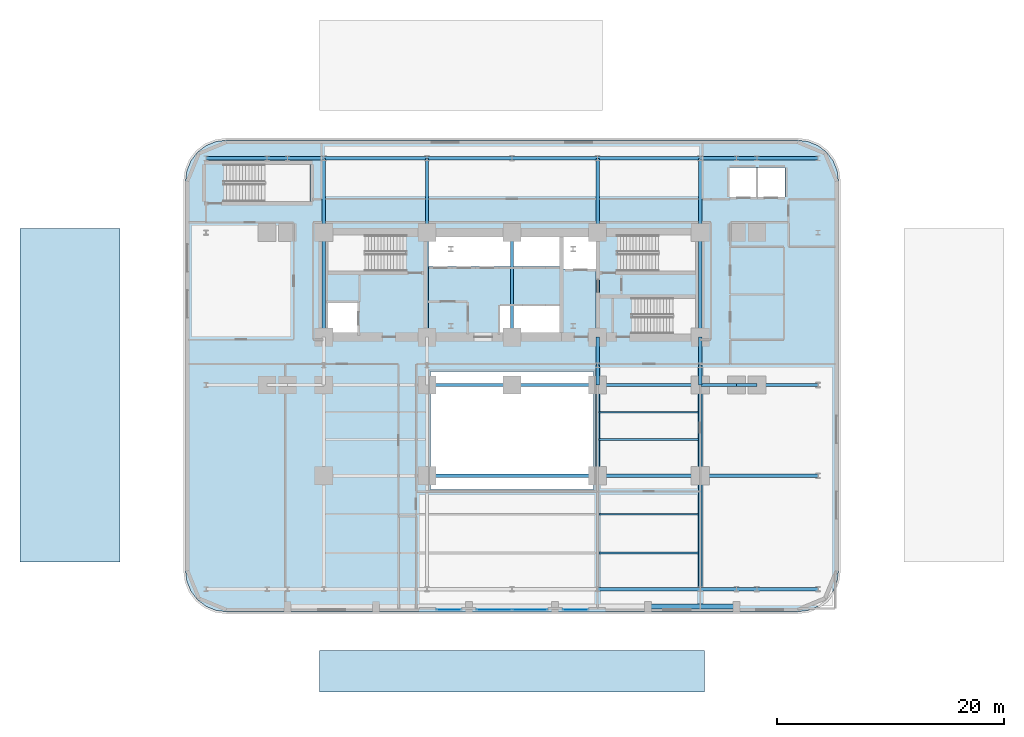
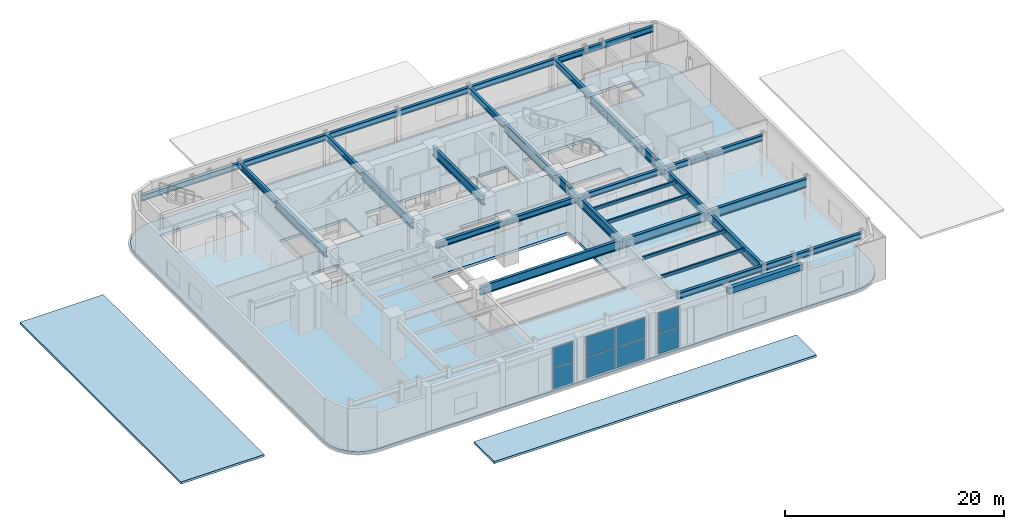
# One storey, part 3 of 12: 44 beams, 8 plates, 3 slabs, 3 elements without a shape of their own.
"""IFC4 building model written with IfcOpenShell, lengths in metres."""

from ifc_helpers import new_model, si_unit, direction, frame, origin, origin_2d, place, context, subcontext, project, spatial, polyline, rectangle, i_section, outline, extrude, material, layer, layer_set, material_profile, profile_set, type_object, element, aggregate, save


model = new_model("IFC4")

# Units and contexts
model_context = context("Model", 3, precision=1e-05, world=origin(), true_north=direction((0.0, 1.0)))
body_context = subcontext(model_context, "Body", "Model", "MODEL_VIEW")
ifc_project = project(units=[si_unit("LENGTHUNIT", "METRE"), si_unit("AREAUNIT", "SQUARE_METRE"), si_unit("VOLUMEUNIT", "CUBIC_METRE"), si_unit("PLANEANGLEUNIT", "RADIAN"), si_unit("MASSUNIT", "GRAM", prefix="KILO")], contexts=[model_context])

# Site, building, storey
site_placement = place(None, origin())
site = spatial("IfcSite", under=ifc_project, at=site_placement, CompositionType="ELEMENT")
building_placement = place(site_placement, origin())
building = spatial("IfcBuilding", under=site, at=building_placement, Name="Zarnavel Station Tower", CompositionType="ELEMENT")
storey_placement = place(building_placement, frame((0.0, 0.0, 5.39990234375)))
storey = spatial("IfcBuildingStorey", under=building, at=storey_placement, Name="L02", CompositionType="ELEMENT", Elevation=5.39990234375)

# Beams
ifc_material_1 = material(Name="Steel S355J2", Category="steel")
ifc_material_profile_1 = material_profile(ifc_material_1, i_section(OverallWidth=0.300048828125, OverallDepth=0.64990234375, WebThickness=0.01611328125, FlangeThickness=0.031005859375, FilletRadius=0.027099609375, at=origin_2d()), Name="HEB650")
ifc_profile_set_1 = profile_set([ifc_material_profile_1], Name="Steel S355J2")
beam_type_1 = type_object("IfcBeamType", Name="FG_HEB650", PredefinedType="USERDEFINED", material=ifc_profile_set_1)
for number, where, z_axis, x_axis, name in (
    (1, (12.199951171875, 37.050048828125, 4.375), (0.0, 1.0, 0.0), (-1.0, 0.0, 0.0), "L02 NS Girder North 1"),
    (2, (21.300048828125, 37.050048828125, 4.375), (0.0, 1.0, 0.0), (-1.0, 0.0, 0.0), "L02 NS Girder North 2"),
    (3, (36.35009765625, 37.050048828125, 4.375), (0.0, 1.0, 0.0), (-1.0, 0.0, 0.0), "L02 NS Girder North 3"),
    (4, (45.39990234375, 37.050048828125, 4.375), (0.0, 1.0, 0.0), (-1.0, 0.0, 0.0), "L02 NS Girder North 4"),
):
    element("IfcBeam", number, at=place(storey_placement, frame(where, z_axis=z_axis, x_axis=x_axis)), inside=storey, type_object=beam_type_1, Name=name, ObjectType="GIRDER", PredefinedType="USERDEFINED", context=body_context, shape_type="SweptSolid", body=[
        extrude(i_section(OverallWidth=0.300048828125, OverallDepth=0.64990234375, WebThickness=0.01611328125, FlangeThickness=0.031005859375, FilletRadius=0.027099609375, at=origin_2d()), origin(), (0.0, 0.0, 1.0), 6.550048828125),
    ])
beam_1_placement = place(storey_placement, frame((36.35009765625, 5.60009765625, 4.375), z_axis=(1.0, 0.0, 0.0), x_axis=(0.0, 1.0, 0.0)))
element("IfcBeam", 5, at=beam_1_placement, inside=storey, type_object=beam_type_1, Name="L02 EW Frame Girder 1-7", ObjectType="GIRDER", PredefinedType="USERDEFINED", context=body_context, shape_type="SweptSolid", body=[
    extrude(i_section(OverallWidth=0.300048828125, OverallDepth=0.64990234375, WebThickness=0.01611328125, FlangeThickness=0.031005859375, FilletRadius=0.027099609375, at=origin_2d()), origin(), (0.0, 0.0, 1.0), 9.0498046875),
])
beam_2_placement = place(storey_placement, frame((45.39990234375, 5.60009765625, 4.375), z_axis=(1.0, 0.0, 0.0), x_axis=(0.0, 1.0, 0.0)))
element("IfcBeam", 6, at=beam_2_placement, inside=storey, type_object=beam_type_1, Name="L02 EW Frame Girder 1-8", ObjectType="GIRDER", PredefinedType="USERDEFINED", context=body_context, shape_type="SweptSolid", body=[
    extrude(i_section(OverallWidth=0.300048828125, OverallDepth=0.64990234375, WebThickness=0.01611328125, FlangeThickness=0.031005859375, FilletRadius=0.027099609375, at=origin_2d()), origin(), (0.0, 0.0, 1.0), 3.2001953125),
])
beam_3_placement = place(storey_placement, frame((48.60009765625, 5.60009765625, 4.375), z_axis=(1.0, 0.0, 0.0), x_axis=(0.0, 1.0, 0.0)))
element("IfcBeam", 7, at=beam_3_placement, inside=storey, type_object=beam_type_1, Name="L02 EW Frame Girder 1-9", ObjectType="GIRDER", PredefinedType="USERDEFINED", context=body_context, shape_type="SweptSolid", body=[
    extrude(i_section(OverallWidth=0.300048828125, OverallDepth=0.64990234375, WebThickness=0.01611328125, FlangeThickness=0.031005859375, FilletRadius=0.027099609375, at=origin_2d()), origin(), (0.0, 0.0, 1.0), 1.7998046875),
])
beam_4_placement = place(storey_placement, frame((50.39990234375, 5.60009765625, 4.375), z_axis=(1.0, 0.0, 0.0), x_axis=(0.0, 1.0, 0.0)))
element("IfcBeam", 8, at=beam_4_placement, inside=storey, type_object=beam_type_1, Name="L02 EW Frame Girder 1-10", ObjectType="GIRDER", PredefinedType="USERDEFINED", context=body_context, shape_type="SweptSolid", body=[
    extrude(i_section(OverallWidth=0.300048828125, OverallDepth=0.64990234375, WebThickness=0.01611328125, FlangeThickness=0.031005859375, FilletRadius=0.027099609375, at=origin_2d()), origin(), (0.0, 0.0, 1.0), 5.400146484375),
])
beam_5_placement = place(storey_placement, frame((21.300048828125, 23.60009765625, 4.375), z_axis=(1.0, 0.0, 0.0), x_axis=(0.0, 1.0, 0.0)))
element("IfcBeam", 9, at=beam_5_placement, inside=storey, type_object=beam_type_1, Name="L02 EW Frame Girder 2-5", ObjectType="GIRDER", PredefinedType="USERDEFINED", context=body_context, shape_type="SweptSolid", body=[
    extrude(i_section(OverallWidth=0.300048828125, OverallDepth=0.64990234375, WebThickness=0.01611328125, FlangeThickness=0.031005859375, FilletRadius=0.027099609375, at=origin_2d()), origin(), (0.0, 0.0, 1.0), 7.5),
])
beam_6_placement = place(storey_placement, frame((28.800048828125, 23.60009765625, 4.375), z_axis=(1.0, 0.0, 0.0), x_axis=(0.0, 1.0, 0.0)))
element("IfcBeam", 10, at=beam_6_placement, inside=storey, type_object=beam_type_1, Name="L02 EW Frame Girder 2-6", ObjectType="GIRDER", PredefinedType="USERDEFINED", context=body_context, shape_type="SweptSolid", body=[
    extrude(i_section(OverallWidth=0.300048828125, OverallDepth=0.64990234375, WebThickness=0.01611328125, FlangeThickness=0.031005859375, FilletRadius=0.027099609375, at=origin_2d()), origin(), (0.0, 0.0, 1.0), 7.550048828125),
])
beam_7_placement = place(storey_placement, frame((36.35009765625, 23.60009765625, 4.375), z_axis=(1.0, 0.0, 0.0), x_axis=(0.0, 1.0, 0.0)))
element("IfcBeam", 11, at=beam_7_placement, inside=storey, type_object=beam_type_1, Name="L02 EW Frame Girder 2-7", ObjectType="GIRDER", PredefinedType="USERDEFINED", context=body_context, shape_type="SweptSolid", body=[
    extrude(i_section(OverallWidth=0.300048828125, OverallDepth=0.64990234375, WebThickness=0.01611328125, FlangeThickness=0.031005859375, FilletRadius=0.027099609375, at=origin_2d()), origin(), (0.0, 0.0, 1.0), 9.0498046875),
])
beam_8_placement = place(storey_placement, frame((45.39990234375, 23.60009765625, 4.375), z_axis=(1.0, 0.0, 0.0), x_axis=(0.0, 1.0, 0.0)))
element("IfcBeam", 12, at=beam_8_placement, inside=storey, type_object=beam_type_1, Name="L02 EW Frame Girder 2-8", ObjectType="GIRDER", PredefinedType="USERDEFINED", context=body_context, shape_type="SweptSolid", body=[
    extrude(i_section(OverallWidth=0.300048828125, OverallDepth=0.64990234375, WebThickness=0.01611328125, FlangeThickness=0.031005859375, FilletRadius=0.027099609375, at=origin_2d()), origin(), (0.0, 0.0, 1.0), 3.2001953125),
])
beam_9_placement = place(storey_placement, frame((48.60009765625, 23.60009765625, 4.375), z_axis=(1.0, 0.0, 0.0), x_axis=(0.0, 1.0, 0.0)))
element("IfcBeam", 13, at=beam_9_placement, inside=storey, type_object=beam_type_1, Name="L02 EW Frame Girder 2-9", ObjectType="GIRDER", PredefinedType="USERDEFINED", context=body_context, shape_type="SweptSolid", body=[
    extrude(i_section(OverallWidth=0.300048828125, OverallDepth=0.64990234375, WebThickness=0.01611328125, FlangeThickness=0.031005859375, FilletRadius=0.027099609375, at=origin_2d()), origin(), (0.0, 0.0, 1.0), 1.7998046875),
])
beam_10_placement = place(storey_placement, frame((50.39990234375, 23.60009765625, 4.375), z_axis=(1.0, 0.0, 0.0), x_axis=(0.0, 1.0, 0.0)))
element("IfcBeam", 14, at=beam_10_placement, inside=storey, type_object=beam_type_1, Name="L02 EW Frame Girder 2-10", ObjectType="GIRDER", PredefinedType="USERDEFINED", context=body_context, shape_type="SweptSolid", body=[
    extrude(i_section(OverallWidth=0.300048828125, OverallDepth=0.64990234375, WebThickness=0.01611328125, FlangeThickness=0.031005859375, FilletRadius=0.027099609375, at=origin_2d()), origin(), (0.0, 0.0, 1.0), 5.400146484375),
])
beam_11_placement = place(storey_placement, frame((1.800048828125, 43.60009765625, 4.375), z_axis=(1.0, 0.0, 0.0), x_axis=(0.0, 1.0, 0.0)))
element("IfcBeam", 15, at=beam_11_placement, inside=storey, type_object=beam_type_1, Name="L02 EW Frame Girder 3-1", ObjectType="GIRDER", PredefinedType="USERDEFINED", context=body_context, shape_type="SweptSolid", body=[
    extrude(i_section(OverallWidth=0.300048828125, OverallDepth=0.64990234375, WebThickness=0.01611328125, FlangeThickness=0.031005859375, FilletRadius=0.027099609375, at=origin_2d()), origin(), (0.0, 0.0, 1.0), 5.39990234375),
])
beam_12_placement = place(storey_placement, frame((7.199951171875, 43.60009765625, 4.375), z_axis=(1.0, 0.0, 0.0), x_axis=(0.0, 1.0, 0.0)))
element("IfcBeam", 16, at=beam_12_placement, inside=storey, type_object=beam_type_1, Name="L02 EW Frame Girder 3-2", ObjectType="GIRDER", PredefinedType="USERDEFINED", context=body_context, shape_type="SweptSolid", body=[
    extrude(i_section(OverallWidth=0.300048828125, OverallDepth=0.64990234375, WebThickness=0.01611328125, FlangeThickness=0.031005859375, FilletRadius=0.027099609375, at=origin_2d()), origin(), (0.0, 0.0, 1.0), 1.800048828125),
])
beam_13_placement = place(storey_placement, frame((9.0, 43.60009765625, 4.375), z_axis=(1.0, 0.0, 0.0), x_axis=(0.0, 1.0, 0.0)))
element("IfcBeam", 17, at=beam_13_placement, inside=storey, type_object=beam_type_1, Name="L02 EW Frame Girder 3-3", ObjectType="GIRDER", PredefinedType="USERDEFINED", context=body_context, shape_type="SweptSolid", body=[
    extrude(i_section(OverallWidth=0.300048828125, OverallDepth=0.64990234375, WebThickness=0.01611328125, FlangeThickness=0.031005859375, FilletRadius=0.027099609375, at=origin_2d()), origin(), (0.0, 0.0, 1.0), 3.199951171875),
])
beam_14_placement = place(storey_placement, frame((12.199951171875, 43.60009765625, 4.375), z_axis=(1.0, 0.0, 0.0), x_axis=(0.0, 1.0, 0.0)))
element("IfcBeam", 18, at=beam_14_placement, inside=storey, type_object=beam_type_1, Name="L02 EW Frame Girder 3-4", ObjectType="GIRDER", PredefinedType="USERDEFINED", context=body_context, shape_type="SweptSolid", body=[
    extrude(i_section(OverallWidth=0.300048828125, OverallDepth=0.64990234375, WebThickness=0.01611328125, FlangeThickness=0.031005859375, FilletRadius=0.027099609375, at=origin_2d()), origin(), (0.0, 0.0, 1.0), 9.10009765625),
])
beam_15_placement = place(storey_placement, frame((21.300048828125, 43.60009765625, 4.375), z_axis=(1.0, 0.0, 0.0), x_axis=(0.0, 1.0, 0.0)))
element("IfcBeam", 19, at=beam_15_placement, inside=storey, type_object=beam_type_1, Name="L02 EW Frame Girder 3-5", ObjectType="GIRDER", PredefinedType="USERDEFINED", context=body_context, shape_type="SweptSolid", body=[
    extrude(i_section(OverallWidth=0.300048828125, OverallDepth=0.64990234375, WebThickness=0.01611328125, FlangeThickness=0.031005859375, FilletRadius=0.027099609375, at=origin_2d()), origin(), (0.0, 0.0, 1.0), 7.5),
])
beam_16_placement = place(storey_placement, frame((28.800048828125, 43.60009765625, 4.375), z_axis=(1.0, 0.0, 0.0), x_axis=(0.0, 1.0, 0.0)))
element("IfcBeam", 20, at=beam_16_placement, inside=storey, type_object=beam_type_1, Name="L02 EW Frame Girder 3-6", ObjectType="GIRDER", PredefinedType="USERDEFINED", context=body_context, shape_type="SweptSolid", body=[
    extrude(i_section(OverallWidth=0.300048828125, OverallDepth=0.64990234375, WebThickness=0.01611328125, FlangeThickness=0.031005859375, FilletRadius=0.027099609375, at=origin_2d()), origin(), (0.0, 0.0, 1.0), 7.550048828125),
])
beam_17_placement = place(storey_placement, frame((36.35009765625, 43.60009765625, 4.375), z_axis=(1.0, 0.0, 0.0), x_axis=(0.0, 1.0, 0.0)))
element("IfcBeam", 21, at=beam_17_placement, inside=storey, type_object=beam_type_1, Name="L02 EW Frame Girder 3-7", ObjectType="GIRDER", PredefinedType="USERDEFINED", context=body_context, shape_type="SweptSolid", body=[
    extrude(i_section(OverallWidth=0.300048828125, OverallDepth=0.64990234375, WebThickness=0.01611328125, FlangeThickness=0.031005859375, FilletRadius=0.027099609375, at=origin_2d()), origin(), (0.0, 0.0, 1.0), 9.0498046875),
])
beam_18_placement = place(storey_placement, frame((45.39990234375, 43.60009765625, 4.375), z_axis=(1.0, 0.0, 0.0), x_axis=(0.0, 1.0, 0.0)))
element("IfcBeam", 22, at=beam_18_placement, inside=storey, type_object=beam_type_1, Name="L02 EW Frame Girder 3-8", ObjectType="GIRDER", PredefinedType="USERDEFINED", context=body_context, shape_type="SweptSolid", body=[
    extrude(i_section(OverallWidth=0.300048828125, OverallDepth=0.64990234375, WebThickness=0.01611328125, FlangeThickness=0.031005859375, FilletRadius=0.027099609375, at=origin_2d()), origin(), (0.0, 0.0, 1.0), 3.2001953125),
])
beam_19_placement = place(storey_placement, frame((48.60009765625, 43.60009765625, 4.375), z_axis=(1.0, 0.0, 0.0), x_axis=(0.0, 1.0, 0.0)))
element("IfcBeam", 23, at=beam_19_placement, inside=storey, type_object=beam_type_1, Name="L02 EW Frame Girder 3-9", ObjectType="GIRDER", PredefinedType="USERDEFINED", context=body_context, shape_type="SweptSolid", body=[
    extrude(i_section(OverallWidth=0.300048828125, OverallDepth=0.64990234375, WebThickness=0.01611328125, FlangeThickness=0.031005859375, FilletRadius=0.027099609375, at=origin_2d()), origin(), (0.0, 0.0, 1.0), 1.7998046875),
])
beam_20_placement = place(storey_placement, frame((50.39990234375, 43.60009765625, 4.375), z_axis=(1.0, 0.0, 0.0), x_axis=(0.0, 1.0, 0.0)))
element("IfcBeam", 24, at=beam_20_placement, inside=storey, type_object=beam_type_1, Name="L02 EW Frame Girder 3-10", ObjectType="GIRDER", PredefinedType="USERDEFINED", context=body_context, shape_type="SweptSolid", body=[
    extrude(i_section(OverallWidth=0.300048828125, OverallDepth=0.64990234375, WebThickness=0.01611328125, FlangeThickness=0.031005859375, FilletRadius=0.027099609375, at=origin_2d()), origin(), (0.0, 0.0, 1.0), 5.400146484375),
])
ifc_material_2 = material(Name="Steel S355J2", Category="steel")
ifc_material_profile_2 = material_profile(ifc_material_2, i_section(OverallWidth=0.169921875, OverallDepth=0.360107421875, WebThickness=0.008056640625, FlangeThickness=0.0126953125, FilletRadius=0.01806640625, at=origin_2d()), Name="IPE360")
ifc_profile_set_2 = profile_set([ifc_material_profile_2], Name="Steel S355J2")
beam_type_2 = type_object("IfcBeamType", Name="FJ_IPE360", PredefinedType="JOIST", material=ifc_profile_set_2)
for number, where, z_axis, x_axis, name in (
    (25, (36.4951171875, 8.800048828125, 4.52001953125), (1.0, 0.0, 0.0), (0.0, 1.0, 0.0), "L02 Floor Joist E1"),
    (26, (36.4951171875, 12.199951171875, 4.52001953125), (1.0, 0.0, 0.0), (0.0, 1.0, 0.0), "L02 Floor Joist E2"),
    (27, (36.4951171875, 18.800048828125, 4.52001953125), (1.0, 0.0, 0.0), (0.0, 1.0, 0.0), "L02 East Joist 3"),
    (28, (36.4951171875, 21.199951171875, 4.52001953125), (1.0, 0.0, 0.0), (0.0, 1.0, 0.0), "L02 East Joist 4"),
):
    element("IfcBeam", number, at=place(storey_placement, frame(where, z_axis=z_axis, x_axis=x_axis)), inside=storey, type_object=beam_type_2, Name=name, PredefinedType="JOIST", context=body_context, shape_type="SweptSolid", body=[
        extrude(i_section(OverallWidth=0.169921875, OverallDepth=0.360107421875, WebThickness=0.008056640625, FlangeThickness=0.0126953125, FilletRadius=0.01806640625, at=origin_2d()), origin(), (0.0, 0.0, 1.0), 8.759765625),
    ])
ifc_material_3 = material(Name="Precast concrete C45/55", Category="concrete")
ifc_material_profile_3 = material_profile(ifc_material_3, rectangle(XDim=0.449951171875, YDim=0.64990234375, at=origin_2d()), Name="RC450x650")
ifc_profile_set_3 = profile_set([ifc_material_profile_3], Name="Precast concrete C45/55")
beam_type_3 = type_object("IfcBeamType", Name="LN_RC450x650", PredefinedType="LINTEL", material=ifc_profile_set_3)
beam_21_placement = place(storey_placement, frame((40.800048828125, 4.050048828125, 4.375), z_axis=(1.0, 0.0, 0.0), x_axis=(0.0, 1.0, 0.0)))
element("IfcBeam", 29, at=beam_21_placement, inside=storey, type_object=beam_type_3, Name="L02 Portal Arcade Lintel 5", PredefinedType="LINTEL", context=body_context, shape_type="SweptSolid", body=[
    extrude(rectangle(XDim=0.449951171875, YDim=0.64990234375, at=origin_2d()), origin(), (0.0, 0.0, 1.0), 7.800048828125),
])
ifc_material_4 = material(Name="Steel S460M", Category="steel")
ifc_material_profile_4 = material_profile(ifc_material_4, i_section(OverallWidth=0.302001953125, OverallDepth=1.008056640625, WebThickness=0.02099609375, FlangeThickness=0.0400390625, FilletRadius=0.030029296875, at=origin_2d()), Name="HEM1000")
ifc_profile_set_4 = profile_set([ifc_material_profile_4], Name="Steel S460M")
beam_type_4 = type_object("IfcBeamType", Name="TG_HEM1000", PredefinedType="USERDEFINED", material=ifc_profile_set_4)
for number, where, z_axis, x_axis, name in (
    (30, (12.199951171875, 27.820068359375, 4.196044921875), (0.0, 1.0, 0.0), (-1.0, 0.0, 0.0), "L02 Core Spine Coupling Girder 1"),
    (31, (21.300048828125, 27.820068359375, 4.196044921875), (0.0, 1.0, 0.0), (-1.0, 0.0, 0.0), "L02 Core Spine Coupling Girder 2"),
    (32, (28.800048828125, 27.820068359375, 4.196044921875), (0.0, 1.0, 0.0), (-1.0, 0.0, 0.0), "L02 Core Spine Coupling Girder 3"),
    (33, (36.35009765625, 27.820068359375, 4.196044921875), (0.0, 1.0, 0.0), (-1.0, 0.0, 0.0), "L02 Core Spine Coupling Girder 4"),
    (34, (45.39990234375, 27.820068359375, 4.196044921875), (0.0, 1.0, 0.0), (-1.0, 0.0, 0.0), "L02 Core Spine Coupling Girder 5"),
):
    element("IfcBeam", number, at=place(storey_placement, frame(where, z_axis=z_axis, x_axis=x_axis)), inside=storey, type_object=beam_type_4, Name=name, ObjectType="GIRDER", PredefinedType="USERDEFINED", context=body_context, shape_type="SweptSolid", body=[
        extrude(i_section(OverallWidth=0.302001953125, OverallDepth=1.008056640625, WebThickness=0.02099609375, FlangeThickness=0.0400390625, FilletRadius=0.030029296875, at=origin_2d()), origin(), (0.0, 0.0, 1.0), 9.22998046875),
    ])
beam_22_placement = place(storey_placement, frame((36.35009765625, 15.60009765625, 4.196044921875), z_axis=(0.0, 1.0, 0.0), x_axis=(-1.0, 0.0, 0.0)))
element("IfcBeam", 35, at=beam_22_placement, inside=storey, type_object=beam_type_4, Name="L02 NS Girder Mid 3", ObjectType="GIRDER", PredefinedType="USERDEFINED", context=body_context, shape_type="SweptSolid", body=[
    extrude(i_section(OverallWidth=0.302001953125, OverallDepth=1.008056640625, WebThickness=0.02099609375, FlangeThickness=0.0400390625, FilletRadius=0.030029296875, at=origin_2d()), origin(), (0.0, 0.0, 1.0), 8.0),
])
beam_23_placement = place(storey_placement, frame((36.35009765625, 23.60009765625, 4.196044921875), z_axis=(0.0, 1.0, 0.0), x_axis=(-1.0, 0.0, 0.0)))
element("IfcBeam", 36, at=beam_23_placement, inside=storey, type_object=beam_type_4, Name="L02 NS Girder Spine 3", ObjectType="GIRDER", PredefinedType="USERDEFINED", context=body_context, shape_type="SweptSolid", body=[
    extrude(i_section(OverallWidth=0.302001953125, OverallDepth=1.008056640625, WebThickness=0.02099609375, FlangeThickness=0.0400390625, FilletRadius=0.030029296875, at=origin_2d()), origin(), (0.0, 0.0, 1.0), 1.75),
])
beam_24_placement = place(storey_placement, frame((36.35009765625, 25.35009765625, 4.196044921875), z_axis=(0.0, 1.0, 0.0), x_axis=(-1.0, 0.0, 0.0)))
element("IfcBeam", 37, at=beam_24_placement, inside=storey, type_object=beam_type_4, Name="L02 NS Girder Core 3", ObjectType="GIRDER", PredefinedType="USERDEFINED", context=body_context, shape_type="SweptSolid", body=[
    extrude(i_section(OverallWidth=0.302001953125, OverallDepth=1.008056640625, WebThickness=0.02099609375, FlangeThickness=0.0400390625, FilletRadius=0.030029296875, at=origin_2d()), origin(), (0.0, 0.0, 1.0), 2.469970703125),
])
beam_25_placement = place(storey_placement, frame((45.39990234375, 5.60009765625, 4.196044921875), z_axis=(0.0, 1.0, 0.0), x_axis=(-1.0, 0.0, 0.0)))
element("IfcBeam", 38, at=beam_25_placement, inside=storey, type_object=beam_type_4, Name="L02 NS Girder South 4", ObjectType="GIRDER", PredefinedType="USERDEFINED", context=body_context, shape_type="SweptSolid", body=[
    extrude(i_section(OverallWidth=0.302001953125, OverallDepth=1.008056640625, WebThickness=0.02099609375, FlangeThickness=0.0400390625, FilletRadius=0.030029296875, at=origin_2d()), origin(), (0.0, 0.0, 1.0), 10.0),
])
beam_26_placement = place(storey_placement, frame((45.39990234375, 15.60009765625, 4.196044921875), z_axis=(0.0, 1.0, 0.0), x_axis=(-1.0, 0.0, 0.0)))
element("IfcBeam", 39, at=beam_26_placement, inside=storey, type_object=beam_type_4, Name="L02 NS Girder Mid 4", ObjectType="GIRDER", PredefinedType="USERDEFINED", context=body_context, shape_type="SweptSolid", body=[
    extrude(i_section(OverallWidth=0.302001953125, OverallDepth=1.008056640625, WebThickness=0.02099609375, FlangeThickness=0.0400390625, FilletRadius=0.030029296875, at=origin_2d()), origin(), (0.0, 0.0, 1.0), 8.0),
])
beam_27_placement = place(storey_placement, frame((45.39990234375, 23.60009765625, 4.196044921875), z_axis=(0.0, 1.0, 0.0), x_axis=(-1.0, 0.0, 0.0)))
element("IfcBeam", 40, at=beam_27_placement, inside=storey, type_object=beam_type_4, Name="L02 NS Girder Spine 4", ObjectType="GIRDER", PredefinedType="USERDEFINED", context=body_context, shape_type="SweptSolid", body=[
    extrude(i_section(OverallWidth=0.302001953125, OverallDepth=1.008056640625, WebThickness=0.02099609375, FlangeThickness=0.0400390625, FilletRadius=0.030029296875, at=origin_2d()), origin(), (0.0, 0.0, 1.0), 1.75),
])
beam_28_placement = place(storey_placement, frame((45.39990234375, 25.35009765625, 4.196044921875), z_axis=(0.0, 1.0, 0.0), x_axis=(-1.0, 0.0, 0.0)))
element("IfcBeam", 41, at=beam_28_placement, inside=storey, type_object=beam_type_4, Name="L02 NS Girder Core 4", ObjectType="GIRDER", PredefinedType="USERDEFINED", context=body_context, shape_type="SweptSolid", body=[
    extrude(i_section(OverallWidth=0.302001953125, OverallDepth=1.008056640625, WebThickness=0.02099609375, FlangeThickness=0.0400390625, FilletRadius=0.030029296875, at=origin_2d()), origin(), (0.0, 0.0, 1.0), 2.469970703125),
])
beam_29_placement = place(storey_placement, frame((21.300048828125, 15.60009765625, 4.196044921875), z_axis=(1.0, 0.0, 0.0), x_axis=(0.0, 1.0, 0.0)))
element("IfcBeam", 42, at=beam_29_placement, inside=storey, type_object=beam_type_4, Name="L02 Concourse Long-Span Girder", ObjectType="GIRDER", PredefinedType="USERDEFINED", context=body_context, shape_type="SweptSolid", body=[
    extrude(i_section(OverallWidth=0.302001953125, OverallDepth=1.008056640625, WebThickness=0.02099609375, FlangeThickness=0.0400390625, FilletRadius=0.030029296875, at=origin_2d()), origin(), (0.0, 0.0, 1.0), 15.050048828125),
])
beam_30_placement = place(storey_placement, frame((36.35009765625, 15.60009765625, 4.196044921875), z_axis=(1.0, 0.0, 0.0), x_axis=(0.0, 1.0, 0.0)))
element("IfcBeam", 43, at=beam_30_placement, inside=storey, type_object=beam_type_4, Name="L02 East Hall Inner Girder", ObjectType="GIRDER", PredefinedType="USERDEFINED", context=body_context, shape_type="SweptSolid", body=[
    extrude(i_section(OverallWidth=0.302001953125, OverallDepth=1.008056640625, WebThickness=0.02099609375, FlangeThickness=0.0400390625, FilletRadius=0.030029296875, at=origin_2d()), origin(), (0.0, 0.0, 1.0), 9.0498046875),
])
beam_31_placement = place(storey_placement, frame((45.39990234375, 15.60009765625, 4.196044921875), z_axis=(1.0, 0.0, 0.0), x_axis=(0.0, 1.0, 0.0)))
element("IfcBeam", 44, at=beam_31_placement, inside=storey, type_object=beam_type_4, Name="L02 East Hall Outer Girder", ObjectType="GIRDER", PredefinedType="USERDEFINED", context=body_context, shape_type="SweptSolid", body=[
    extrude(i_section(OverallWidth=0.302001953125, OverallDepth=1.008056640625, WebThickness=0.02099609375, FlangeThickness=0.0400390625, FilletRadius=0.030029296875, at=origin_2d()), origin(), (0.0, 0.0, 1.0), 10.400146484375),
])

# Curtain wall, plates
ifc_material_5 = material(Name="Aluminium Dark Anodised and Solar-Control Glass", Category="aluminium")
ifc_layer_1 = layer(ifc_material_5, 0.179931640625)
ifc_layer_set_1 = layer_set([ifc_layer_1], Name="CWS1")
curtain_wall_type = type_object("IfcCurtainWallType", Name="CWS1", PredefinedType="NOTDEFINED", material=ifc_layer_set_1)
curtain_wall_1_placement = place(storey_placement, origin())
curtain_wall_1 = element("IfcCurtainWall", 45, at=curtain_wall_1_placement, inside=storey, type_object=curtain_wall_type, Name="L02 Curtain Wall CWS1-L02-S-S1", PredefinedType="NOTDEFINED")
ifc_material_6 = material(Name="Double Low-E Dark Solar-Control Glass", Category="glass")
ifc_layer_2 = layer(ifc_material_6, 0.035888671875)
ifc_layer_set_2 = layer_set([ifc_layer_2], Name="CWS1_PNL")
plate_type = type_object("IfcPlateType", Name="CWS1_PNL", PredefinedType="CURTAIN_PANEL", material=ifc_layer_set_2)
plate_1_placement = place(storey_placement, frame((23.22802734375, 3.780029296875, 0.06005859375), z_axis=(0.0, 0.0, 1.0), x_axis=(1.0, 0.0, 0.0)))
plate_1 = element("IfcPlate", 46, at=plate_1_placement, type_object=plate_type, Name="CW1 panel 1.1", PredefinedType="CURTAIN_PANEL", context=body_context, shape_type="SweptSolid", body=[
    extrude(rectangle(XDim=2.135986328125, YDim=0.028076171875, at=origin_2d()), origin(), (0.0, 0.0, 1.0), 2.260009765625),
])
plate_2_placement = place(storey_placement, frame((23.22802734375, 3.780029296875, 2.3798828125), z_axis=(0.0, 0.0, 1.0), x_axis=(1.0, 0.0, 0.0)))
plate_2 = element("IfcPlate", 47, at=plate_2_placement, type_object=plate_type, Name="CW1 panel 1.2", PredefinedType="CURTAIN_PANEL", context=body_context, shape_type="SweptSolid", body=[
    extrude(rectangle(XDim=2.135986328125, YDim=0.028076171875, at=origin_2d()), origin(), (0.0, 0.0, 1.0), 2.260009765625),
])
aggregate(curtain_wall_1, [plate_1, plate_2])

curtain_wall_2_placement = place(storey_placement, origin())
curtain_wall_2 = element("IfcCurtainWall", 48, at=curtain_wall_2_placement, inside=storey, type_object=curtain_wall_type, Name="L02 Curtain Wall CWS1-L02-S-S2", PredefinedType="NOTDEFINED")
plate_3_placement = place(storey_placement, frame((27.237060546875, 3.780029296875, 0.06005859375), z_axis=(0.0, 0.0, 1.0), x_axis=(1.0, 0.0, 0.0)))
plate_3 = element("IfcPlate", 49, at=plate_3_placement, type_object=plate_type, Name="CW1 panel 1.1", PredefinedType="CURTAIN_PANEL", context=body_context, shape_type="SweptSolid", body=[
    extrude(rectangle(XDim=3.06591796875, YDim=0.028076171875, at=origin_2d()), origin(), (0.0, 0.0, 1.0), 2.260009765625),
])
plate_4_placement = place(storey_placement, frame((27.237060546875, 3.780029296875, 2.3798828125), z_axis=(0.0, 0.0, 1.0), x_axis=(1.0, 0.0, 0.0)))
plate_4 = element("IfcPlate", 50, at=plate_4_placement, type_object=plate_type, Name="CW1 panel 1.2", PredefinedType="CURTAIN_PANEL", context=body_context, shape_type="SweptSolid", body=[
    extrude(rectangle(XDim=3.06591796875, YDim=0.028076171875, at=origin_2d()), origin(), (0.0, 0.0, 1.0), 2.260009765625),
])
plate_5_placement = place(storey_placement, frame((30.363037109375, 3.780029296875, 0.06005859375), z_axis=(0.0, 0.0, 1.0), x_axis=(1.0, 0.0, 0.0)))
plate_5 = element("IfcPlate", 51, at=plate_5_placement, type_object=plate_type, Name="CW1 panel 2.1", PredefinedType="CURTAIN_PANEL", context=body_context, shape_type="SweptSolid", body=[
    extrude(rectangle(XDim=3.06591796875, YDim=0.028076171875, at=origin_2d()), origin(), (0.0, 0.0, 1.0), 2.260009765625),
])
plate_6_placement = place(storey_placement, frame((30.363037109375, 3.780029296875, 2.3798828125), z_axis=(0.0, 0.0, 1.0), x_axis=(1.0, 0.0, 0.0)))
plate_6 = element("IfcPlate", 52, at=plate_6_placement, type_object=plate_type, Name="CW1 panel 2.2", PredefinedType="CURTAIN_PANEL", context=body_context, shape_type="SweptSolid", body=[
    extrude(rectangle(XDim=3.06591796875, YDim=0.028076171875, at=origin_2d()), origin(), (0.0, 0.0, 1.0), 2.260009765625),
])
aggregate(curtain_wall_2, [plate_3, plate_4, plate_5, plate_6])

curtain_wall_3_placement = place(storey_placement, origin())
curtain_wall_3 = element("IfcCurtainWall", 53, at=curtain_wall_3_placement, inside=storey, type_object=curtain_wall_type, Name="L02 Curtain Wall CWS1-L02-S-S3", PredefinedType="NOTDEFINED")
plate_7_placement = place(storey_placement, frame((34.39697265625, 3.780029296875, 0.06005859375), z_axis=(0.0, 0.0, 1.0), x_axis=(1.0, 0.0, 0.0)))
plate_7 = element("IfcPlate", 54, at=plate_7_placement, type_object=plate_type, Name="CW1 panel 1.1", PredefinedType="CURTAIN_PANEL", context=body_context, shape_type="SweptSolid", body=[
    extrude(rectangle(XDim=2.18603515625, YDim=0.028076171875, at=origin_2d()), origin(), (0.0, 0.0, 1.0), 2.260009765625),
])
plate_8_placement = place(storey_placement, frame((34.39697265625, 3.780029296875, 2.3798828125), z_axis=(0.0, 0.0, 1.0), x_axis=(1.0, 0.0, 0.0)))
plate_8 = element("IfcPlate", 55, at=plate_8_placement, type_object=plate_type, Name="CW1 panel 1.2", PredefinedType="CURTAIN_PANEL", context=body_context, shape_type="SweptSolid", body=[
    extrude(rectangle(XDim=2.18603515625, YDim=0.028076171875, at=origin_2d()), origin(), (0.0, 0.0, 1.0), 2.260009765625),
])
aggregate(curtain_wall_3, [plate_7, plate_8])

# Slabs
ifc_material_7 = material(Name="Concrete C45/55", Category="concrete")
ifc_layer_3 = layer(ifc_material_7, 0.300048828125)
ifc_layer_set_3 = layer_set([ifc_layer_3], Name="SL_FLR_300")
slab_type_1 = type_object("IfcSlabType", Name="SL_FLR_300", PredefinedType="FLOOR", material=ifc_layer_set_3)
slab_1_placement = place(storey_placement, frame((0.0, 0.0, -0.2998046875)))
element("IfcSlab", 56, at=slab_1_placement, inside=storey, type_object=slab_type_1, Name="L02 Structural Floor Slab", PredefinedType="FLOOR", context=body_context, shape_type="SweptSolid", body=[
    extrude(outline(polyline([(54.0, 3.60009765625), (54.931640625, 3.72265625), (55.800048828125, 4.082275390625), (56.545654296875, 4.654296875), (57.11767578125, 5.39990234375), (57.477294921875, 6.268310546875), (57.60009765625, 7.199951171875), (57.60009765625, 41.60009765625), (57.477294921875, 42.53173828125), (57.11767578125, 43.39990234375), (56.545654296875, 44.1455078125), (55.800048828125, 44.7177734375), (54.931640625, 45.077392578125), (54.0, 45.199951171875), (3.60009765625, 45.199951171875), (2.668212890625, 45.077392578125), (1.800048828125, 44.7177734375), (1.054443359375, 44.1455078125), (0.482421875, 43.39990234375), (0.122802734375, 42.53173828125), (0.0, 41.60009765625), (0.0, 7.199951171875), (0.122802734375, 6.268310546875), (0.482421875, 5.39990234375), (1.054443359375, 4.654296875), (1.800048828125, 4.082275390625), (2.668212890625, 3.72265625), (3.60009765625, 3.60009765625), (54.0, 3.60009765625)]), holes=[polyline([(12.39990234375, 33.659912109375), (19.409912109375, 33.659912109375), (19.409912109375, 36.820068359375), (12.39990234375, 36.820068359375), (12.39990234375, 33.659912109375)]), polyline([(38.14990234375, 33.659912109375), (45.159912109375, 33.659912109375), (45.159912109375, 36.820068359375), (38.14990234375, 36.820068359375), (38.14990234375, 33.659912109375)]), polyline([(39.419921875, 28.1201171875), (45.14990234375, 28.1201171875), (45.14990234375, 31.280029296875), (39.419921875, 31.280029296875), (39.419921875, 28.1201171875)]), polyline([(3.419921875, 39.800048828125), (11.0, 39.800048828125), (11.0, 43.06005859375), (3.419921875, 43.06005859375), (3.419921875, 39.800048828125)]), polyline([(12.35009765625, 27.949951171875), (15.14990234375, 27.949951171875), (15.14990234375, 30.85009765625), (12.35009765625, 30.85009765625), (12.35009765625, 27.949951171875)]), polyline([(33.320068359375, 33.85009765625), (36.2099609375, 33.85009765625), (36.2099609375, 36.780029296875), (33.320068359375, 36.780029296875), (33.320068359375, 33.85009765625)]), polyline([(21.449951171875, 34.050048828125), (32.97998046875, 34.050048828125), (32.97998046875, 36.780029296875), (21.449951171875, 36.780029296875), (21.449951171875, 34.050048828125)]), polyline([(27.75, 27.949951171875), (32.97998046875, 27.949951171875), (32.97998046875, 30.550048828125), (27.75, 30.550048828125), (27.75, 27.949951171875)]), polyline([(48.0, 40.199951171875), (52.89990234375, 40.199951171875), (52.89990234375, 42.800048828125), (48.0, 42.800048828125), (48.0, 40.199951171875)]), polyline([(21.60009765625, 14.39990234375), (36.0, 14.39990234375), (36.0, 24.800048828125), (21.60009765625, 24.800048828125), (21.60009765625, 14.39990234375)])]), origin(), (0.0, 0.0, 1.0), 0.2998046875),
])
ifc_material_8 = material(Name="Concrete C45/55", Category="concrete")
ifc_layer_4 = layer(ifc_material_8, 0.239990234375)
ifc_layer_set_4 = layer_set([ifc_layer_4], Name="SL_ROF_240")
slab_type_2 = type_object("IfcSlabType", Name="SL_ROF_240", PredefinedType="ROOF", material=ifc_layer_set_4)
slab_2_placement = place(storey_placement, frame((0.0, 0.0, -0.239990234375)))
element("IfcSlab", 57, at=slab_2_placement, inside=storey, type_object=slab_type_2, Name="South Station Portal Canopy Roof Slab", PredefinedType="ROOF", context=body_context, shape_type="SweptSolid", body=[
    extrude(outline(polyline([(11.800048828125, -3.5), (45.800048828125, -3.5), (45.800048828125, 0.199951171875), (11.800048828125, 0.199951171875), (11.800048828125, -3.5)])), origin(), (0.0, 0.0, 1.0), 0.239990234375),
])
slab_3_placement = place(storey_placement, frame((0.0, 0.0, -0.239990234375)))
element("IfcSlab", 58, at=slab_3_placement, inside=storey, type_object=slab_type_2, Name="West Forecourt Taxi Canopy Roof Slab", PredefinedType="ROOF", context=body_context, shape_type="SweptSolid", body=[
    extrude(outline(polyline([(-14.60009765625, 8.0), (-5.800048828125, 8.0), (-5.800048828125, 37.39990234375), (-14.60009765625, 37.39990234375), (-14.60009765625, 8.0)])), origin(), (0.0, 0.0, 1.0), 0.239990234375),
])

save(model, "model.ifc")
